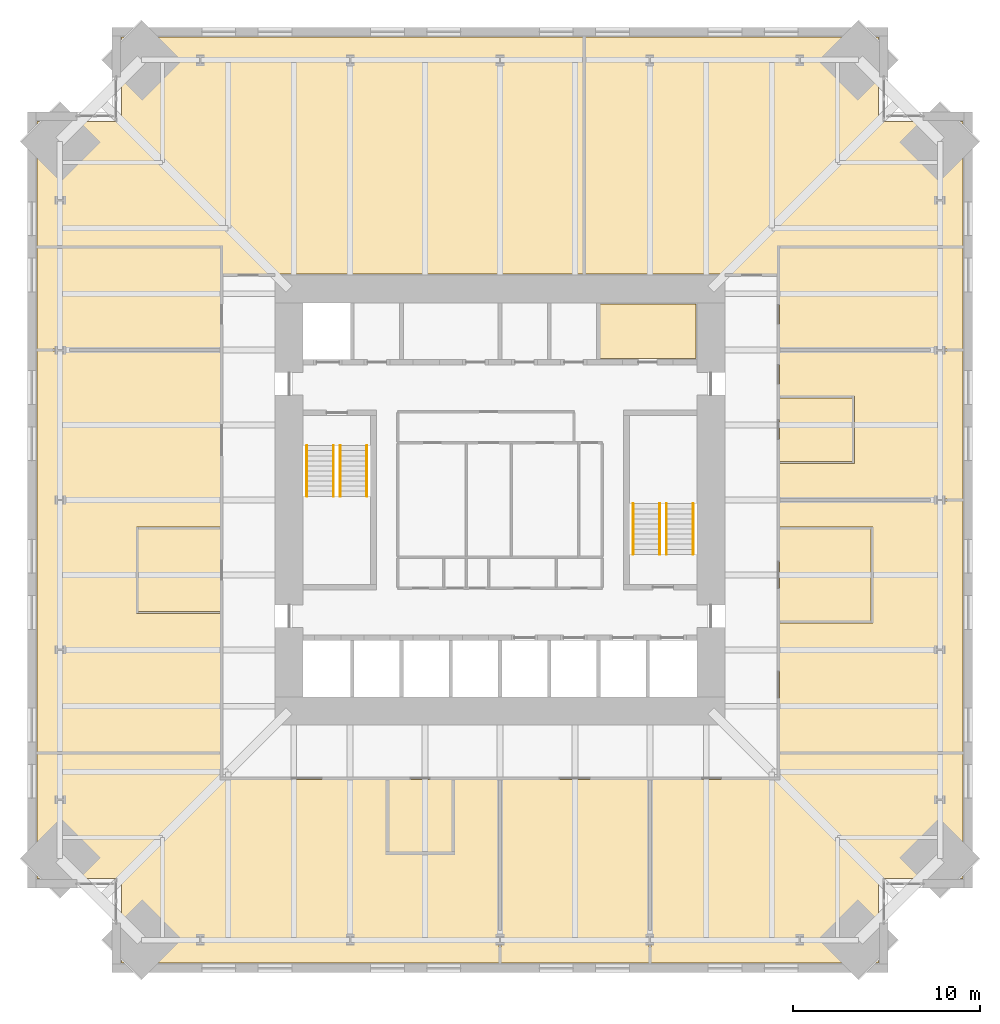
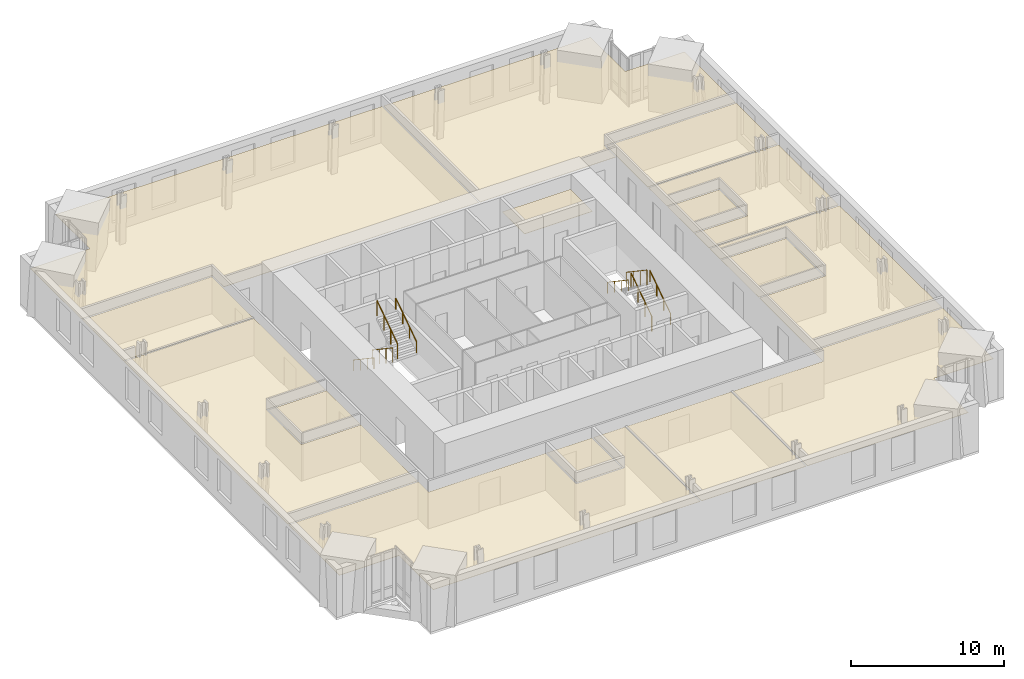
# One storey, part 15 of 15: 15 coverings, 8 railings.
"""IFC4 building model written with IfcOpenShell, lengths in metres."""

from ifc_helpers import new_model, si_unit, direction, frame, origin, origin_2d, place, context, subcontext, project, spatial, polyline, circle, outline, extrude, material, layer, layer_set, type_object, element, save


model = new_model("IFC4")

# Units and contexts
model_context = context("Model", 3, precision=1e-05, world=origin(), true_north=direction((0.0, 1.0)))
body_context = subcontext(model_context, "Body", "Model", "MODEL_VIEW")
ifc_project = project(units=[si_unit("LENGTHUNIT", "METRE"), si_unit("AREAUNIT", "SQUARE_METRE"), si_unit("VOLUMEUNIT", "CUBIC_METRE"), si_unit("PLANEANGLEUNIT", "RADIAN"), si_unit("MASSUNIT", "GRAM", prefix="KILO")], contexts=[model_context])

# Site, building, storey
site_placement = place(None, origin())
site = spatial("IfcSite", under=ifc_project, at=site_placement, CompositionType="ELEMENT")
building_placement = place(site_placement, origin())
building = spatial("IfcBuilding", under=site, at=building_placement, Name="Peilmerk Tower", CompositionType="ELEMENT")
storey_placement = place(building_placement, frame((0.0, 0.0, 183.800048828125)))
storey = spatial("IfcBuildingStorey", under=building, at=storey_placement, Name="L39", CompositionType="ELEMENT", Elevation=183.800048828125)

# Coverings
ifc_material_1 = material(Name="Mineral fibre ceiling tiles", Category="mineral")
ifc_layer = layer(ifc_material_1, 0.02490234375)
ifc_layer_set = layer_set([ifc_layer], Name="Mineral fibre ceiling tiles")
covering_type = type_object("IfcCoveringType", Name="CL1 25 suspended ceiling", PredefinedType="CEILING", material=ifc_layer_set)
covering_1_placement = place(storey_placement, frame((0.0, 0.0, 2.905029296875)))
element("IfcCovering", 1, at=covering_1_placement, inside=storey, type_object=covering_type, Name="Suspended ceiling Open workspace", PredefinedType="CEILING", context=body_context, shape_type="SweptSolid", body=[
    extrude(outline(polyline([(-24.699951171875, 20.199951171875), (-24.699951171875, 13.550048828125), (-14.800048828125, 13.550048828125), (-14.800048828125, 12.050048828125), (4.449951171875, 12.050048828125), (4.449951171875, 24.699951171875), (-20.199951171875, 24.699951171875), (-20.199951171875, 20.199951171875), (-24.699951171875, 20.199951171875)])), origin(), (0.0, 0.0, 1.0), 0.02490234375),
])
covering_2_placement = place(storey_placement, frame((0.0, 0.0, 2.905029296875)))
element("IfcCovering", 2, at=covering_2_placement, inside=storey, type_object=covering_type, Name="Suspended ceiling Project room", PredefinedType="CEILING", context=body_context, shape_type="SweptSolid", body=[
    extrude(outline(polyline([(20.199951171875, 24.699951171875), (4.550048828125, 24.699951171875), (4.550048828125, 12.050048828125), (14.800048828125, 12.050048828125), (14.800048828125, 13.550048828125), (24.699951171875, 13.550048828125), (24.699951171875, 20.199951171875), (20.199951171875, 20.199951171875), (20.199951171875, 24.699951171875)])), origin(), (0.0, 0.0, 1.0), 0.02490234375),
])
covering_3_placement = place(storey_placement, frame((0.0, 0.0, 2.905029296875)))
element("IfcCovering", 3, at=covering_3_placement, inside=storey, type_object=covering_type, Name="Suspended ceiling Reception", PredefinedType="CEILING", context=body_context, shape_type="SweptSolid", body=[
    extrude(outline(polyline([(-20.199951171875, -20.199951171875), (-20.199951171875, -24.699951171875), (-0.050048828125, -24.699951171875), (-0.050048828125, -14.89990234375), (-2.449951171875, -14.89990234375), (-2.449951171875, -18.89990234375), (-6.050048828125, -18.89990234375), (-6.050048828125, -14.89990234375), (-14.89990234375, -14.89990234375), (-14.89990234375, -13.550048828125), (-24.699951171875, -13.550048828125), (-24.699951171875, -20.199951171875), (-20.199951171875, -20.199951171875)])), origin(), (0.0, 0.0, 1.0), 0.02490234375),
])
covering_4_placement = place(storey_placement, frame((0.0, 0.0, 2.905029296875)))
element("IfcCovering", 4, at=covering_4_placement, inside=storey, type_object=covering_type, Name="Suspended ceiling Open workspace", PredefinedType="CEILING", context=body_context, shape_type="SweptSolid", body=[
    extrude(outline(polyline([(0.050048828125, -24.699951171875), (7.949951171875, -24.699951171875), (7.949951171875, -14.89990234375), (0.050048828125, -14.89990234375), (0.050048828125, -24.699951171875)])), origin(), (0.0, 0.0, 1.0), 0.02490234375),
])
covering_5_placement = place(storey_placement, frame((0.0, 0.0, 2.905029296875)))
element("IfcCovering", 5, at=covering_5_placement, inside=storey, type_object=covering_type, Name="Suspended ceiling Office", PredefinedType="CEILING", context=body_context, shape_type="SweptSolid", body=[
    extrude(outline(polyline([(8.050048828125, -24.699951171875), (20.199951171875, -24.699951171875), (20.199951171875, -20.199951171875), (24.699951171875, -20.199951171875), (24.699951171875, -13.550048828125), (14.89990234375, -13.550048828125), (14.89990234375, -14.89990234375), (8.050048828125, -14.89990234375), (8.050048828125, -24.699951171875)])), origin(), (0.0, 0.0, 1.0), 0.02490234375),
])
covering_6_placement = place(storey_placement, frame((0.0, 0.0, 2.905029296875)))
element("IfcCovering", 6, at=covering_6_placement, inside=storey, type_object=covering_type, Name="Suspended ceiling Interview room", PredefinedType="CEILING", context=body_context, shape_type="SweptSolid", body=[
    extrude(outline(polyline([(-2.550048828125, -18.800048828125), (-2.550048828125, -14.89990234375), (-5.949951171875, -14.89990234375), (-5.949951171875, -18.800048828125), (-2.550048828125, -18.800048828125)])), origin(), (0.0, 0.0, 1.0), 0.02490234375),
])
covering_7_placement = place(storey_placement, frame((0.0, 0.0, 2.905029296875)))
element("IfcCovering", 7, at=covering_7_placement, inside=storey, type_object=covering_type, Name="Suspended ceiling Library", PredefinedType="CEILING", context=body_context, shape_type="SweptSolid", body=[
    extrude(outline(polyline([(14.89990234375, -13.449951171875), (24.699951171875, -13.449951171875), (24.699951171875, -0.050048828125), (14.89990234375, -0.050048828125), (14.89990234375, -1.449951171875), (19.89990234375, -1.449951171875), (19.89990234375, -6.550048828125), (14.89990234375, -6.550048828125), (14.89990234375, -13.449951171875)])), origin(), (0.0, 0.0, 1.0), 0.02490234375),
])
covering_8_placement = place(storey_placement, frame((0.0, 0.0, 2.905029296875)))
element("IfcCovering", 8, at=covering_8_placement, inside=storey, type_object=covering_type, Name="Suspended ceiling Office", PredefinedType="CEILING", context=body_context, shape_type="SweptSolid", body=[
    extrude(outline(polyline([(14.89990234375, 0.050048828125), (24.699951171875, 0.050048828125), (24.699951171875, 7.949951171875), (14.89990234375, 7.949951171875), (14.89990234375, 5.550048828125), (18.89990234375, 5.550048828125), (18.89990234375, 1.949951171875), (14.89990234375, 1.949951171875), (14.89990234375, 0.050048828125)])), origin(), (0.0, 0.0, 1.0), 0.02490234375),
])
covering_9_placement = place(storey_placement, frame((0.0, 0.0, 2.905029296875)))
element("IfcCovering", 9, at=covering_9_placement, inside=storey, type_object=covering_type, Name="Suspended ceiling Office", PredefinedType="CEILING", context=body_context, shape_type="SweptSolid", body=[
    extrude(outline(polyline([(24.699951171875, 8.050048828125), (24.699951171875, 13.449951171875), (14.89990234375, 13.449951171875), (14.89990234375, 8.050048828125), (24.699951171875, 8.050048828125)])), origin(), (0.0, 0.0, 1.0), 0.02490234375),
])
covering_10_placement = place(storey_placement, frame((0.0, 0.0, 2.905029296875)))
element("IfcCovering", 10, at=covering_10_placement, inside=storey, type_object=covering_type, Name="Suspended ceiling Board room", PredefinedType="CEILING", context=body_context, shape_type="SweptSolid", body=[
    extrude(outline(polyline([(19.800048828125, -6.449951171875), (19.800048828125, -1.550048828125), (14.89990234375, -1.550048828125), (14.89990234375, -6.449951171875), (19.800048828125, -6.449951171875)])), origin(), (0.0, 0.0, 1.0), 0.02490234375),
])
covering_11_placement = place(storey_placement, frame((0.0, 0.0, 2.905029296875)))
element("IfcCovering", 11, at=covering_11_placement, inside=storey, type_object=covering_type, Name="Suspended ceiling Pantry", PredefinedType="CEILING", context=body_context, shape_type="SweptSolid", body=[
    extrude(outline(polyline([(18.800048828125, 2.050048828125), (18.800048828125, 5.449951171875), (14.89990234375, 5.449951171875), (14.89990234375, 2.050048828125), (18.800048828125, 2.050048828125)])), origin(), (0.0, 0.0, 1.0), 0.02490234375),
])
covering_12_placement = place(storey_placement, frame((0.0, 0.0, 2.905029296875)))
element("IfcCovering", 12, at=covering_12_placement, inside=storey, type_object=covering_type, Name="Suspended ceiling Open workspace", PredefinedType="CEILING", context=body_context, shape_type="SweptSolid", body=[
    extrude(outline(polyline([(-14.89990234375, 7.949951171875), (-24.699951171875, 7.949951171875), (-24.699951171875, -13.449951171875), (-14.89990234375, -13.449951171875), (-14.89990234375, -6.050048828125), (-19.39990234375, -6.050048828125), (-19.39990234375, -1.449951171875), (-14.89990234375, -1.449951171875), (-14.89990234375, 7.949951171875)])), origin(), (0.0, 0.0, 1.0), 0.02490234375),
])
covering_13_placement = place(storey_placement, frame((0.0, 0.0, 2.905029296875)))
element("IfcCovering", 13, at=covering_13_placement, inside=storey, type_object=covering_type, Name="Suspended ceiling Project room", PredefinedType="CEILING", context=body_context, shape_type="SweptSolid", body=[
    extrude(outline(polyline([(-24.699951171875, 13.449951171875), (-24.699951171875, 8.050048828125), (-14.89990234375, 8.050048828125), (-14.89990234375, 13.449951171875), (-24.699951171875, 13.449951171875)])), origin(), (0.0, 0.0, 1.0), 0.02490234375),
])
covering_14_placement = place(storey_placement, frame((0.0, 0.0, 2.905029296875)))
element("IfcCovering", 14, at=covering_14_placement, inside=storey, type_object=covering_type, Name="Suspended ceiling Meeting room", PredefinedType="CEILING", context=body_context, shape_type="SweptSolid", body=[
    extrude(outline(polyline([(-14.89990234375, -5.949951171875), (-14.89990234375, -1.550048828125), (-19.300048828125, -1.550048828125), (-19.300048828125, -5.949951171875), (-14.89990234375, -5.949951171875)])), origin(), (0.0, 0.0, 1.0), 0.02490234375),
])
covering_15_placement = place(storey_placement, frame((0.0, 0.0, 2.824951171875)))
element("IfcCovering", 15, at=covering_15_placement, inside=storey, type_object=covering_type, Name="Suspended ceiling Pantry", PredefinedType="CEILING", context=body_context, shape_type="SweptSolid", body=[
    extrude(outline(polyline([(10.448974609375, 7.551025390625), (10.448974609375, 10.448974609375), (5.301025390625, 10.448974609375), (5.301025390625, 7.551025390625), (10.448974609375, 7.551025390625)])), origin(), (0.0, 0.0, 1.0), 0.02490234375),
])

# Railings
ifc_material_2 = material(Name="Steel flat bar balustrade", Category="steel")
railing_type_1 = type_object("IfcRailingType", Name="GR1 1200 stair guard", PredefinedType="GUARDRAIL", material=ifc_material_2)
railing_1_placement = place(storey_placement, frame((-8.8798828125, 2.89990234375, 0.181884765625)))
element("IfcRailing", 16, at=railing_1_placement, inside=storey, type_object=railing_type_1, Name="Guard stair 1 L39", PredefinedType="GUARDRAIL", context=body_context, shape_type="SweptSolid", body=[
    extrude(circle(Radius=0.02392578125, at=origin_2d()), frame((0.0, 0.0, 1.17578125), z_axis=(0.0, -0.829468130872, 0.55855404382), x_axis=(1.0, 0.0, 0.0)), (0.0, 0.0, 1.0), 3.255126953125),
    extrude(circle(Radius=0.02099609375, at=origin_2d()), origin(), (0.0, 0.0, 1.0), 1.15185546875),
    extrude(circle(Radius=0.02099609375, at=origin_2d()), frame((0.0, -0.89990234375, 0.60595703125)), (0.0, 0.0, 1.0), 1.15185546875),
    extrude(circle(Radius=0.02099609375, at=origin_2d()), frame((0.0, -1.800048828125, 1.212158203125)), (0.0, 0.0, 1.0), 1.15185546875),
    extrude(circle(Radius=0.02099609375, at=origin_2d()), frame((0.0, -2.699951171875, 1.818115234375)), (0.0, 0.0, 1.0), 1.15185546875),
])
for number, where, name in (
    (17, (-8.52001953125, 0.199951171875, 2.181884765625), "Guard stair 1 L39"),
    (18, (8.8798828125, -2.89990234375, 0.181884765625), "Guard stair 2 L39"),
):
    element("IfcRailing", number, at=place(storey_placement, frame(where)), inside=storey, type_object=railing_type_1, Name=name, PredefinedType="GUARDRAIL", context=body_context, shape_type="SweptSolid", body=[
        extrude(circle(Radius=0.02392578125, at=origin_2d()), frame((0.0, 0.0, 1.17578125), z_axis=(0.0, 0.829468130872, 0.55855404382), x_axis=(-1.0, 0.0, 0.0)), (0.0, 0.0, 1.0), 3.255126953125),
        extrude(circle(Radius=0.02099609375, at=origin_2d()), origin(), (0.0, 0.0, 1.0), 1.15185546875),
        extrude(circle(Radius=0.02099609375, at=origin_2d()), frame((0.0, 0.89990234375, 0.60595703125)), (0.0, 0.0, 1.0), 1.15185546875),
        extrude(circle(Radius=0.02099609375, at=origin_2d()), frame((0.0, 1.800048828125, 1.212158203125)), (0.0, 0.0, 1.0), 1.15185546875),
        extrude(circle(Radius=0.02099609375, at=origin_2d()), frame((0.0, 2.699951171875, 1.818115234375)), (0.0, 0.0, 1.0), 1.15185546875),
    ])
railing_2_placement = place(storey_placement, frame((8.52001953125, -0.199951171875, 2.181884765625)))
element("IfcRailing", 19, at=railing_2_placement, inside=storey, type_object=railing_type_1, Name="Guard stair 2 L39", PredefinedType="GUARDRAIL", context=body_context, shape_type="SweptSolid", body=[
    extrude(circle(Radius=0.02392578125, at=origin_2d()), frame((0.0, 0.0, 1.17578125), z_axis=(0.0, -0.829468130872, 0.55855404382), x_axis=(1.0, 0.0, 0.0)), (0.0, 0.0, 1.0), 3.255126953125),
    extrude(circle(Radius=0.02099609375, at=origin_2d()), origin(), (0.0, 0.0, 1.0), 1.15185546875),
    extrude(circle(Radius=0.02099609375, at=origin_2d()), frame((0.0, -0.89990234375, 0.60595703125)), (0.0, 0.0, 1.0), 1.15185546875),
    extrude(circle(Radius=0.02099609375, at=origin_2d()), frame((0.0, -1.800048828125, 1.212158203125)), (0.0, 0.0, 1.0), 1.15185546875),
    extrude(circle(Radius=0.02099609375, at=origin_2d()), frame((0.0, -2.699951171875, 1.818115234375)), (0.0, 0.0, 1.0), 1.15185546875),
])
ifc_material_3 = material(Name="Stainless steel tube", Category="steel")
railing_type_2 = type_object("IfcRailingType", Name="HR1 900 stair handrail", PredefinedType="HANDRAIL", material=ifc_material_3)
railing_3_placement = place(storey_placement, frame((-10.300048828125, 2.89990234375, 0.181884765625)))
element("IfcRailing", 20, at=railing_3_placement, inside=storey, type_object=railing_type_2, Name="Handrail stair 1 L39", PredefinedType="HANDRAIL", context=body_context, shape_type="SweptSolid", body=[
    extrude(circle(Radius=0.02392578125, at=origin_2d()), frame((0.0, 0.0, 0.8759765625), z_axis=(0.0, -0.829468130872, 0.55855404382), x_axis=(1.0, 0.0, 0.0)), (0.0, 0.0, 1.0), 3.255126953125),
    extrude(circle(Radius=0.02099609375, at=origin_2d()), origin(), (0.0, 0.0, 1.0), 0.851806640625),
    extrude(circle(Radius=0.02099609375, at=origin_2d()), frame((0.0, -0.89990234375, 0.60595703125)), (0.0, 0.0, 1.0), 0.851806640625),
    extrude(circle(Radius=0.02099609375, at=origin_2d()), frame((0.0, -1.800048828125, 1.212158203125)), (0.0, 0.0, 1.0), 0.851806640625),
    extrude(circle(Radius=0.02099609375, at=origin_2d()), frame((0.0, -2.699951171875, 1.818115234375)), (0.0, 0.0, 1.0), 0.851806640625),
])
for number, where, name in (
    (21, (-7.10009765625, 0.199951171875, 2.181884765625), "Handrail stair 1 L39"),
    (22, (10.300048828125, -2.89990234375, 0.181884765625), "Handrail stair 2 L39"),
):
    element("IfcRailing", number, at=place(storey_placement, frame(where)), inside=storey, type_object=railing_type_2, Name=name, PredefinedType="HANDRAIL", context=body_context, shape_type="SweptSolid", body=[
        extrude(circle(Radius=0.02392578125, at=origin_2d()), frame((0.0, 0.0, 0.8759765625), z_axis=(0.0, 0.829468130872, 0.55855404382), x_axis=(-1.0, 0.0, 0.0)), (0.0, 0.0, 1.0), 3.255126953125),
        extrude(circle(Radius=0.02099609375, at=origin_2d()), origin(), (0.0, 0.0, 1.0), 0.851806640625),
        extrude(circle(Radius=0.02099609375, at=origin_2d()), frame((0.0, 0.89990234375, 0.60595703125)), (0.0, 0.0, 1.0), 0.851806640625),
        extrude(circle(Radius=0.02099609375, at=origin_2d()), frame((0.0, 1.800048828125, 1.212158203125)), (0.0, 0.0, 1.0), 0.851806640625),
        extrude(circle(Radius=0.02099609375, at=origin_2d()), frame((0.0, 2.699951171875, 1.818115234375)), (0.0, 0.0, 1.0), 0.851806640625),
    ])
railing_4_placement = place(storey_placement, frame((7.10009765625, -0.199951171875, 2.181884765625)))
element("IfcRailing", 23, at=railing_4_placement, inside=storey, type_object=railing_type_2, Name="Handrail stair 2 L39", PredefinedType="HANDRAIL", context=body_context, shape_type="SweptSolid", body=[
    extrude(circle(Radius=0.02392578125, at=origin_2d()), frame((0.0, 0.0, 0.8759765625), z_axis=(0.0, -0.829468130872, 0.55855404382), x_axis=(1.0, 0.0, 0.0)), (0.0, 0.0, 1.0), 3.255126953125),
    extrude(circle(Radius=0.02099609375, at=origin_2d()), origin(), (0.0, 0.0, 1.0), 0.851806640625),
    extrude(circle(Radius=0.02099609375, at=origin_2d()), frame((0.0, -0.89990234375, 0.60595703125)), (0.0, 0.0, 1.0), 0.851806640625),
    extrude(circle(Radius=0.02099609375, at=origin_2d()), frame((0.0, -1.800048828125, 1.212158203125)), (0.0, 0.0, 1.0), 0.851806640625),
    extrude(circle(Radius=0.02099609375, at=origin_2d()), frame((0.0, -2.699951171875, 1.818115234375)), (0.0, 0.0, 1.0), 0.851806640625),
])

save(model, "model.ifc")
